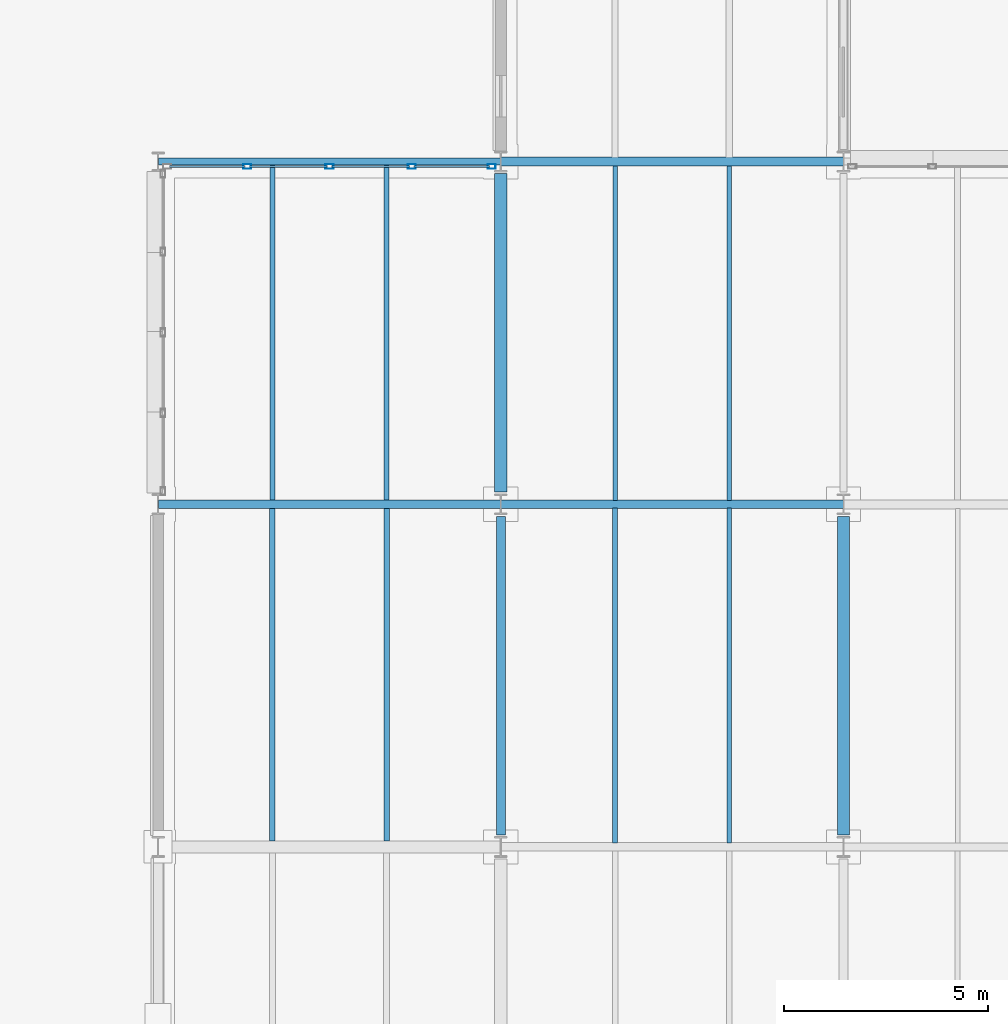
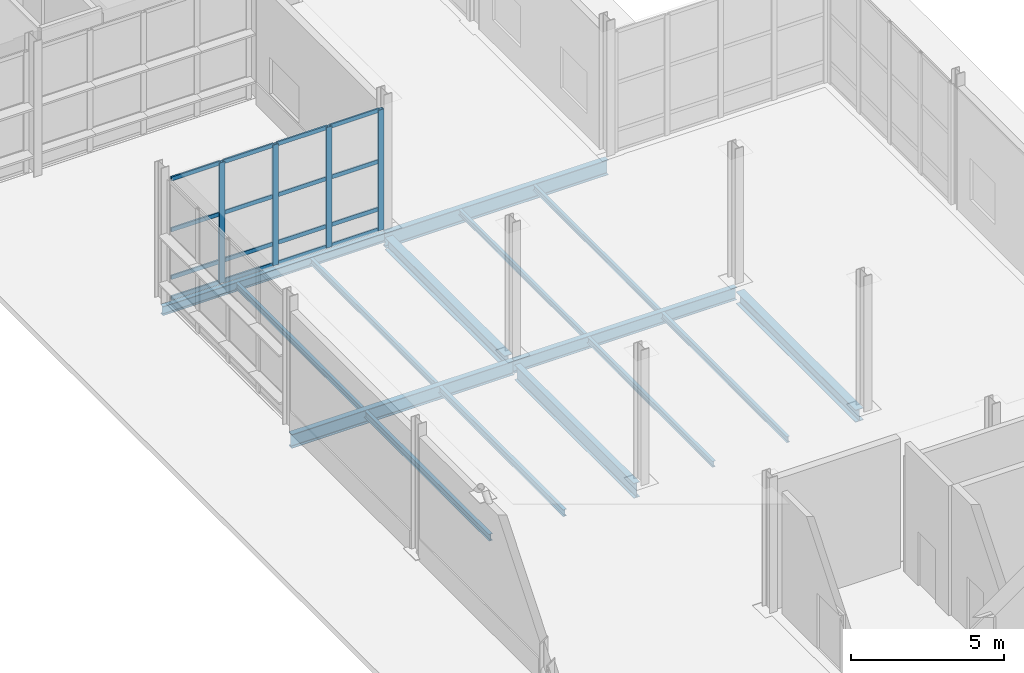
# One storey, part 61 of 124: 20 members, 15 beams, 1 element without a shape of its own.
"""IFC4 building model written with IfcOpenShell, lengths in metres."""

from ifc_helpers import new_model, si_unit, direction, frame, origin, origin_2d, place, context, subcontext, project, spatial, hollow_rectangle, i_section, extrude, material, material_profile, profile_set, type_object, element, aggregate, save


model = new_model("IFC4")

# Units and contexts
model_context = context("Model", 3, precision=1e-05, world=origin(), true_north=direction((0.0, 1.0)))
body_context = subcontext(model_context, "Body", "Model", "MODEL_VIEW")
ifc_project = project(units=[si_unit("LENGTHUNIT", "METRE"), si_unit("AREAUNIT", "SQUARE_METRE"), si_unit("VOLUMEUNIT", "CUBIC_METRE"), si_unit("PLANEANGLEUNIT", "RADIAN"), si_unit("MASSUNIT", "GRAM", prefix="KILO")], contexts=[model_context])

# Site, building, storey
site_placement = place(None, origin())
site = spatial("IfcSite", under=ifc_project, at=site_placement, CompositionType="ELEMENT")
building_placement = place(site_placement, origin())
building = spatial("IfcBuilding", under=site, at=building_placement, Name="Mersafa Astral City Hall", CompositionType="ELEMENT")
storey_placement = place(building_placement, origin())
storey = spatial("IfcBuildingStorey", under=building, at=storey_placement, Name="L00", CompositionType="ELEMENT", Elevation=0.0)

# Curtain wall, members
ifc_material_1 = material(Name="Anodised bronze aluminium framing", Category="aluminium")
curtain_wall_type = type_object("IfcCurtainWallType", Name="ENV-CW-3", PredefinedType="USERDEFINED", material=ifc_material_1)
curtain_wall_placement = place(storey_placement, origin())
curtain_wall = element("IfcCurtainWall", 1, at=curtain_wall_placement, inside=storey, type_object=curtain_wall_type, Name="L00 Unitised solar curtain wall 20", ObjectType="UNITISED CURTAIN WALL", PredefinedType="USERDEFINED")
ifc_material_profile_1 = material_profile(ifc_material_1, hollow_rectangle(XDim=0.1201171875, YDim=0.199951171875, WallThickness=0.008056640625, at=origin_2d()), Name="RHS 120x200x8")
ifc_profile_set_1 = profile_set([ifc_material_profile_1], Name="Anodised bronze aluminium framing")
member_type_1 = type_object("IfcMemberType", Name="ENV-CW-MUL-2", PredefinedType="MULLION", material=ifc_profile_set_1)
member_1_placement = place(storey_placement, frame((167.778076171875, 92.280029296875, -0.001953125), z_axis=(0.0, 0.0, 1.0), x_axis=(0.0, -1.0, 0.0)))
member_1 = element("IfcMember", 2, at=member_1_placement, type_object=member_type_1, Name="CW-3 mullion 1", PredefinedType="MULLION", context=body_context, shape_type="SweptSolid", body=[
    extrude(hollow_rectangle(XDim=0.1201171875, YDim=0.199951171875, WallThickness=0.008056640625, at=origin_2d()), origin(), (0.0, 0.0, 1.0), 4.81396484375),
])
member_2_placement = place(storey_placement, frame((165.819091796875, 92.280029296875, -0.001953125), z_axis=(0.0, 0.0, 1.0), x_axis=(0.0, -1.0, 0.0)))
member_2 = element("IfcMember", 3, at=member_2_placement, type_object=member_type_1, Name="CW-3 mullion 2", PredefinedType="MULLION", context=body_context, shape_type="SweptSolid", body=[
    extrude(hollow_rectangle(XDim=0.1201171875, YDim=0.199951171875, WallThickness=0.008056640625, at=origin_2d()), origin(), (0.0, 0.0, 1.0), 4.81396484375),
])
member_3_placement = place(storey_placement, frame((163.800048828125, 92.280029296875, -0.001953125), z_axis=(0.0, 0.0, 1.0), x_axis=(0.0, -1.0, 0.0)))
member_3 = element("IfcMember", 4, at=member_3_placement, type_object=member_type_1, Name="CW-3 mullion 3", PredefinedType="MULLION", context=body_context, shape_type="SweptSolid", body=[
    extrude(hollow_rectangle(XDim=0.1201171875, YDim=0.199951171875, WallThickness=0.008056640625, at=origin_2d()), origin(), (0.0, 0.0, 1.0), 4.81396484375),
])
member_4_placement = place(storey_placement, frame((161.781005859375, 92.280029296875, -0.001953125), z_axis=(0.0, 0.0, 1.0), x_axis=(0.0, -1.0, 0.0)))
member_4 = element("IfcMember", 5, at=member_4_placement, type_object=member_type_1, Name="CW-3 mullion 4", PredefinedType="MULLION", context=body_context, shape_type="SweptSolid", body=[
    extrude(hollow_rectangle(XDim=0.1201171875, YDim=0.199951171875, WallThickness=0.008056640625, at=origin_2d()), origin(), (0.0, 0.0, 1.0), 4.81396484375),
])
ifc_material_profile_2 = material_profile(ifc_material_1, hollow_rectangle(XDim=0.06005859375, YDim=0.159912109375, WallThickness=0.00390625, at=origin_2d()), Name="RHS 60x160x4")
ifc_profile_set_2 = profile_set([ifc_material_profile_2], Name="Anodised bronze aluminium framing")
member_type_2 = type_object("IfcMemberType", Name="ENV-CW-TRN-2", PredefinedType="USERDEFINED", material=ifc_profile_set_2)
member_5_placement = place(storey_placement, frame((167.718017578125, 92.280029296875, 0.028076171875), z_axis=(-1.0, 0.0, 0.0), x_axis=(0.0, -1.0, 0.0)))
member_5 = element("IfcMember", 6, at=member_5_placement, type_object=member_type_2, Name="CW-3 transom 1.1", ObjectType="TRANSOM", PredefinedType="USERDEFINED", context=body_context, shape_type="SweptSolid", body=[
    extrude(hollow_rectangle(XDim=0.06005859375, YDim=0.159912109375, WallThickness=0.00390625, at=origin_2d()), origin(), (0.0, 0.0, 1.0), 1.839111328125),
])
member_6_placement = place(storey_placement, frame((167.718017578125, 92.280029296875, 0.85009765625), z_axis=(-1.0, 0.0, 0.0), x_axis=(0.0, -1.0, 0.0)))
member_6 = element("IfcMember", 7, at=member_6_placement, type_object=member_type_2, Name="CW-3 transom 1.2", ObjectType="TRANSOM", PredefinedType="USERDEFINED", context=body_context, shape_type="SweptSolid", body=[
    extrude(hollow_rectangle(XDim=0.06005859375, YDim=0.159912109375, WallThickness=0.00390625, at=origin_2d()), origin(), (0.0, 0.0, 1.0), 1.839111328125),
])
member_7_placement = place(storey_placement, frame((167.718017578125, 92.280029296875, 2.75), z_axis=(-1.0, 0.0, 0.0), x_axis=(0.0, -1.0, 0.0)))
member_7 = element("IfcMember", 8, at=member_7_placement, type_object=member_type_2, Name="CW-3 transom 1.3", ObjectType="TRANSOM", PredefinedType="USERDEFINED", context=body_context, shape_type="SweptSolid", body=[
    extrude(hollow_rectangle(XDim=0.06005859375, YDim=0.159912109375, WallThickness=0.00390625, at=origin_2d()), origin(), (0.0, 0.0, 1.0), 1.839111328125),
])
member_8_placement = place(storey_placement, frame((167.718017578125, 92.280029296875, 4.781982421875), z_axis=(-1.0, 0.0, 0.0), x_axis=(0.0, -1.0, 0.0)))
member_8 = element("IfcMember", 9, at=member_8_placement, type_object=member_type_2, Name="CW-3 transom 1.4", ObjectType="TRANSOM", PredefinedType="USERDEFINED", context=body_context, shape_type="SweptSolid", body=[
    extrude(hollow_rectangle(XDim=0.06005859375, YDim=0.159912109375, WallThickness=0.00390625, at=origin_2d()), origin(), (0.0, 0.0, 1.0), 1.839111328125),
])
member_9_placement = place(storey_placement, frame((165.759033203125, 92.280029296875, 0.028076171875), z_axis=(-1.0, 0.0, 0.0), x_axis=(0.0, -1.0, 0.0)))
member_9 = element("IfcMember", 10, at=member_9_placement, type_object=member_type_2, Name="CW-3 transom 2.1", ObjectType="TRANSOM", PredefinedType="USERDEFINED", context=body_context, shape_type="SweptSolid", body=[
    extrude(hollow_rectangle(XDim=0.06005859375, YDim=0.159912109375, WallThickness=0.00390625, at=origin_2d()), origin(), (0.0, 0.0, 1.0), 1.89892578125),
])
member_10_placement = place(storey_placement, frame((165.759033203125, 92.280029296875, 0.85009765625), z_axis=(-1.0, 0.0, 0.0), x_axis=(0.0, -1.0, 0.0)))
member_10 = element("IfcMember", 11, at=member_10_placement, type_object=member_type_2, Name="CW-3 transom 2.2", ObjectType="TRANSOM", PredefinedType="USERDEFINED", context=body_context, shape_type="SweptSolid", body=[
    extrude(hollow_rectangle(XDim=0.06005859375, YDim=0.159912109375, WallThickness=0.00390625, at=origin_2d()), origin(), (0.0, 0.0, 1.0), 1.89892578125),
])
member_11_placement = place(storey_placement, frame((165.759033203125, 92.280029296875, 2.75), z_axis=(-1.0, 0.0, 0.0), x_axis=(0.0, -1.0, 0.0)))
member_11 = element("IfcMember", 12, at=member_11_placement, type_object=member_type_2, Name="CW-3 transom 2.3", ObjectType="TRANSOM", PredefinedType="USERDEFINED", context=body_context, shape_type="SweptSolid", body=[
    extrude(hollow_rectangle(XDim=0.06005859375, YDim=0.159912109375, WallThickness=0.00390625, at=origin_2d()), origin(), (0.0, 0.0, 1.0), 1.89892578125),
])
member_12_placement = place(storey_placement, frame((165.759033203125, 92.280029296875, 4.781982421875), z_axis=(-1.0, 0.0, 0.0), x_axis=(0.0, -1.0, 0.0)))
member_12 = element("IfcMember", 13, at=member_12_placement, type_object=member_type_2, Name="CW-3 transom 2.4", ObjectType="TRANSOM", PredefinedType="USERDEFINED", context=body_context, shape_type="SweptSolid", body=[
    extrude(hollow_rectangle(XDim=0.06005859375, YDim=0.159912109375, WallThickness=0.00390625, at=origin_2d()), origin(), (0.0, 0.0, 1.0), 1.89892578125),
])
member_13_placement = place(storey_placement, frame((163.739990234375, 92.280029296875, 0.028076171875), z_axis=(-1.0, 0.0, 0.0), x_axis=(0.0, -1.0, 0.0)))
member_13 = element("IfcMember", 14, at=member_13_placement, type_object=member_type_2, Name="CW-3 transom 3.1", ObjectType="TRANSOM", PredefinedType="USERDEFINED", context=body_context, shape_type="SweptSolid", body=[
    extrude(hollow_rectangle(XDim=0.06005859375, YDim=0.159912109375, WallThickness=0.00390625, at=origin_2d()), origin(), (0.0, 0.0, 1.0), 1.89892578125),
])
member_14_placement = place(storey_placement, frame((163.739990234375, 92.280029296875, 0.85009765625), z_axis=(-1.0, 0.0, 0.0), x_axis=(0.0, -1.0, 0.0)))
member_14 = element("IfcMember", 15, at=member_14_placement, type_object=member_type_2, Name="CW-3 transom 3.2", ObjectType="TRANSOM", PredefinedType="USERDEFINED", context=body_context, shape_type="SweptSolid", body=[
    extrude(hollow_rectangle(XDim=0.06005859375, YDim=0.159912109375, WallThickness=0.00390625, at=origin_2d()), origin(), (0.0, 0.0, 1.0), 1.89892578125),
])
member_15_placement = place(storey_placement, frame((163.739990234375, 92.280029296875, 2.75), z_axis=(-1.0, 0.0, 0.0), x_axis=(0.0, -1.0, 0.0)))
member_15 = element("IfcMember", 16, at=member_15_placement, type_object=member_type_2, Name="CW-3 transom 3.3", ObjectType="TRANSOM", PredefinedType="USERDEFINED", context=body_context, shape_type="SweptSolid", body=[
    extrude(hollow_rectangle(XDim=0.06005859375, YDim=0.159912109375, WallThickness=0.00390625, at=origin_2d()), origin(), (0.0, 0.0, 1.0), 1.89892578125),
])
member_16_placement = place(storey_placement, frame((163.739990234375, 92.280029296875, 4.781982421875), z_axis=(-1.0, 0.0, 0.0), x_axis=(0.0, -1.0, 0.0)))
member_16 = element("IfcMember", 17, at=member_16_placement, type_object=member_type_2, Name="CW-3 transom 3.4", ObjectType="TRANSOM", PredefinedType="USERDEFINED", context=body_context, shape_type="SweptSolid", body=[
    extrude(hollow_rectangle(XDim=0.06005859375, YDim=0.159912109375, WallThickness=0.00390625, at=origin_2d()), origin(), (0.0, 0.0, 1.0), 1.89892578125),
])
member_17_placement = place(storey_placement, frame((161.720947265625, 92.280029296875, 0.028076171875), z_axis=(-1.0, 0.0, 0.0), x_axis=(0.0, -1.0, 0.0)))
member_17 = element("IfcMember", 18, at=member_17_placement, type_object=member_type_2, Name="CW-3 transom 4.1", ObjectType="TRANSOM", PredefinedType="USERDEFINED", context=body_context, shape_type="SweptSolid", body=[
    extrude(hollow_rectangle(XDim=0.06005859375, YDim=0.159912109375, WallThickness=0.00390625, at=origin_2d()), origin(), (0.0, 0.0, 1.0), 1.8388671875),
])
member_18_placement = place(storey_placement, frame((161.720947265625, 92.280029296875, 0.85009765625), z_axis=(-1.0, 0.0, 0.0), x_axis=(0.0, -1.0, 0.0)))
member_18 = element("IfcMember", 19, at=member_18_placement, type_object=member_type_2, Name="CW-3 transom 4.2", ObjectType="TRANSOM", PredefinedType="USERDEFINED", context=body_context, shape_type="SweptSolid", body=[
    extrude(hollow_rectangle(XDim=0.06005859375, YDim=0.159912109375, WallThickness=0.00390625, at=origin_2d()), origin(), (0.0, 0.0, 1.0), 1.8388671875),
])
member_19_placement = place(storey_placement, frame((161.720947265625, 92.280029296875, 2.75), z_axis=(-1.0, 0.0, 0.0), x_axis=(0.0, -1.0, 0.0)))
member_19 = element("IfcMember", 20, at=member_19_placement, type_object=member_type_2, Name="CW-3 transom 4.3", ObjectType="TRANSOM", PredefinedType="USERDEFINED", context=body_context, shape_type="SweptSolid", body=[
    extrude(hollow_rectangle(XDim=0.06005859375, YDim=0.159912109375, WallThickness=0.00390625, at=origin_2d()), origin(), (0.0, 0.0, 1.0), 1.8388671875),
])
member_20_placement = place(storey_placement, frame((161.720947265625, 92.280029296875, 4.781982421875), z_axis=(-1.0, 0.0, 0.0), x_axis=(0.0, -1.0, 0.0)))
member_20 = element("IfcMember", 21, at=member_20_placement, type_object=member_type_2, Name="CW-3 transom 4.4", ObjectType="TRANSOM", PredefinedType="USERDEFINED", context=body_context, shape_type="SweptSolid", body=[
    extrude(hollow_rectangle(XDim=0.06005859375, YDim=0.159912109375, WallThickness=0.00390625, at=origin_2d()), origin(), (0.0, 0.0, 1.0), 1.8388671875),
])
aggregate(curtain_wall, [member_1, member_2, member_3, member_4, member_5, member_6, member_7, member_8, member_9, member_10, member_11, member_12, member_13, member_14, member_15, member_16, member_17, member_18, member_19, member_20])

# Beams
ifc_material_2 = material(Name="Steel S355", Category="steel")
ifc_material_profile_3 = material_profile(ifc_material_2, i_section(OverallWidth=0.300048828125, OverallDepth=0.489990234375, WebThickness=0.011962890625, FlangeThickness=0.02294921875, FilletRadius=0.027099609375, at=origin_2d()), Name="HEA 500")
ifc_profile_set_3 = profile_set([ifc_material_profile_3], Name="Steel S355")
beam_type_1 = type_object("IfcBeamType", Name="STR-BM-HEA500", PredefinedType="BEAM", material=ifc_profile_set_3)
for number, where, z_axis, x_axis, name in (
    (22, (168.0, 84.294921875, -0.4951171875), (0.0, 1.0, 0.0), (-1.0, 0.0, 0.0), "L00 Primary girder Y 20-10"),
    (23, (176.39990234375, 75.89501953125, -0.4951171875), (0.0, 1.0, 0.0), (-1.0, 0.0, 0.0), "L00 Primary girder Y 21-9"),
):
    element("IfcBeam", number, at=place(storey_placement, frame(where, z_axis=z_axis, x_axis=x_axis)), inside=storey, type_object=beam_type_1, Name=name, PredefinedType="BEAM", context=body_context, shape_type="SweptSolid", body=[
        extrude(i_section(OverallWidth=0.300048828125, OverallDepth=0.489990234375, WebThickness=0.011962890625, FlangeThickness=0.02294921875, FilletRadius=0.027099609375, at=origin_2d()), origin(), (0.0, 0.0, 1.0), 7.81005859375),
    ])
ifc_material_profile_4 = material_profile(ifc_material_2, i_section(OverallWidth=0.199951171875, OverallDepth=0.5, WebThickness=0.01025390625, FlangeThickness=0.01611328125, FilletRadius=0.02099609375, at=origin_2d()), Name="IPE 500")
ifc_profile_set_4 = profile_set([ifc_material_profile_4], Name="Steel S355")
beam_type_2 = type_object("IfcBeamType", Name="STR-BM-IPE500", PredefinedType="BEAM", material=ifc_profile_set_4)
beam_1_placement = place(storey_placement, frame((168.0029296875, 84.0, -0.5), z_axis=(1.0, 0.0, 0.0), x_axis=(0.0, 1.0, 0.0)))
element("IfcBeam", 24, at=beam_1_placement, inside=storey, type_object=beam_type_2, Name="L00 Primary girder X 20-10", PredefinedType="BEAM", context=body_context, shape_type="SweptSolid", body=[
    extrude(i_section(OverallWidth=0.199951171875, OverallDepth=0.5, WebThickness=0.01025390625, FlangeThickness=0.01611328125, FilletRadius=0.02099609375, at=origin_2d()), origin(), (0.0, 0.0, 1.0), 8.39404296875),
])
ifc_material_profile_5 = material_profile(ifc_material_2, i_section(OverallWidth=0.2099609375, OverallDepth=0.550048828125, WebThickness=0.010986328125, FlangeThickness=0.01708984375, FilletRadius=0.02392578125, at=origin_2d()), Name="IPE 550")
ifc_profile_set_5 = profile_set([ifc_material_profile_5], Name="Steel S355")
beam_type_3 = type_object("IfcBeamType", Name="STR-BM-IPE550", PredefinedType="BEAM", material=ifc_profile_set_5)
beam_2_placement = place(storey_placement, frame((159.60302734375, 84.0, -0.52490234375), z_axis=(1.0, 0.0, 0.0), x_axis=(0.0, 1.0, 0.0)))
element("IfcBeam", 25, at=beam_2_placement, inside=storey, type_object=beam_type_3, Name="L00 Primary girder X 19-10", PredefinedType="BEAM", context=body_context, shape_type="SweptSolid", body=[
    extrude(i_section(OverallWidth=0.2099609375, OverallDepth=0.550048828125, WebThickness=0.010986328125, FlangeThickness=0.01708984375, FilletRadius=0.02392578125, at=origin_2d()), origin(), (0.0, 0.0, 1.0), 8.39404296875),
])
ifc_material_profile_6 = material_profile(ifc_material_2, i_section(OverallWidth=0.219970703125, OverallDepth=0.60009765625, WebThickness=0.011962890625, FlangeThickness=0.01904296875, FilletRadius=0.02392578125, at=origin_2d()), Name="IPE 600")
ifc_profile_set_6 = profile_set([ifc_material_profile_6], Name="Steel S355")
beam_type_4 = type_object("IfcBeamType", Name="STR-BM-IPE600", PredefinedType="BEAM", material=ifc_profile_set_6)
beam_3_placement = place(storey_placement, frame((168.0029296875, 92.39990234375, -0.550048828125), z_axis=(1.0, 0.0, 0.0), x_axis=(0.0, 1.0, 0.0)))
element("IfcBeam", 26, at=beam_3_placement, inside=storey, type_object=beam_type_4, Name="L00 Primary girder X 20-11", PredefinedType="BEAM", context=body_context, shape_type="SweptSolid", body=[
    extrude(i_section(OverallWidth=0.219970703125, OverallDepth=0.60009765625, WebThickness=0.011962890625, FlangeThickness=0.01904296875, FilletRadius=0.02392578125, at=origin_2d()), origin(), (0.0, 0.0, 1.0), 8.39404296875),
])
beam_4_placement = place(storey_placement, frame((168.0, 75.89501953125, -0.550048828125), z_axis=(0.0, 1.0, 0.0), x_axis=(-1.0, 0.0, 0.0)))
element("IfcBeam", 27, at=beam_4_placement, inside=storey, type_object=beam_type_4, Name="L00 Primary girder Y 20-9", PredefinedType="BEAM", context=body_context, shape_type="SweptSolid", body=[
    extrude(i_section(OverallWidth=0.219970703125, OverallDepth=0.60009765625, WebThickness=0.011962890625, FlangeThickness=0.01904296875, FilletRadius=0.02392578125, at=origin_2d()), origin(), (0.0, 0.0, 1.0), 7.81005859375),
])
ifc_material_profile_7 = material_profile(ifc_material_2, i_section(OverallWidth=0.110107421875, OverallDepth=0.219970703125, WebThickness=0.005859375, FlangeThickness=0.00927734375, FilletRadius=0.011962890625, at=origin_2d()), Name="IPE 220")
ifc_profile_set_7 = profile_set([ifc_material_profile_7], Name="Steel S355")
beam_type_5 = type_object("IfcBeamType", Name="STR-BM-JOIST-IPE220", PredefinedType="JOIST", material=ifc_profile_set_7)
for number, where, z_axis, x_axis, name in (
    (28, (170.800048828125, 84.094970703125, -0.360107421875), (0.0, 1.0, 0.0), (-1.0, 0.0, 0.0), "L00 Composite secondary floor joist 205"),
    (29, (173.60009765625, 84.094970703125, -0.360107421875), (0.0, 1.0, 0.0), (-1.0, 0.0, 0.0), "L00 Composite secondary floor joist 206"),
):
    element("IfcBeam", number, at=place(storey_placement, frame(where, z_axis=z_axis, x_axis=x_axis)), inside=storey, type_object=beam_type_5, Name=name, PredefinedType="JOIST", context=body_context, shape_type="SweptSolid", body=[
        extrude(i_section(OverallWidth=0.110107421875, OverallDepth=0.219970703125, WebThickness=0.005859375, FlangeThickness=0.00927734375, FilletRadius=0.011962890625, at=origin_2d()), origin(), (0.0, 0.0, 1.0), 8.199951171875),
    ])
ifc_material_profile_8 = material_profile(ifc_material_2, i_section(OverallWidth=0.1201171875, OverallDepth=0.239990234375, WebThickness=0.006103515625, FlangeThickness=0.009765625, FilletRadius=0.014892578125, at=origin_2d()), Name="IPE 240")
ifc_profile_set_8 = profile_set([ifc_material_profile_8], Name="Steel S355")
beam_type_6 = type_object("IfcBeamType", Name="STR-BM-JOIST-IPE240", PredefinedType="JOIST", material=ifc_profile_set_8)
for number, where, z_axis, x_axis, name in (
    (30, (162.39990234375, 84.10009765625, -0.3701171875), (0.0, 1.0, 0.0), (-1.0, 0.0, 0.0), "L00 Composite secondary floor joist 190"),
    (31, (165.199951171875, 84.10009765625, -0.3701171875), (0.0, 1.0, 0.0), (-1.0, 0.0, 0.0), "L00 Composite secondary floor joist 191"),
):
    element("IfcBeam", number, at=place(storey_placement, frame(where, z_axis=z_axis, x_axis=x_axis)), inside=storey, type_object=beam_type_6, Name=name, PredefinedType="JOIST", context=body_context, shape_type="SweptSolid", body=[
        extrude(i_section(OverallWidth=0.1201171875, OverallDepth=0.239990234375, WebThickness=0.006103515625, FlangeThickness=0.009765625, FilletRadius=0.014892578125, at=origin_2d()), origin(), (0.0, 0.0, 1.0), 8.219970703125),
    ])
for number, where, z_axis, x_axis, name in (
    (32, (170.800048828125, 75.699951171875, -0.3701171875), (0.0, 1.0, 0.0), (-1.0, 0.0, 0.0), "L00 Composite secondary floor joist 203"),
    (33, (173.60009765625, 75.699951171875, -0.3701171875), (0.0, 1.0, 0.0), (-1.0, 0.0, 0.0), "L00 Composite secondary floor joist 204"),
):
    element("IfcBeam", number, at=place(storey_placement, frame(where, z_axis=z_axis, x_axis=x_axis)), inside=storey, type_object=beam_type_6, Name=name, PredefinedType="JOIST", context=body_context, shape_type="SweptSolid", body=[
        extrude(i_section(OverallWidth=0.1201171875, OverallDepth=0.239990234375, WebThickness=0.006103515625, FlangeThickness=0.009765625, FilletRadius=0.014892578125, at=origin_2d()), origin(), (0.0, 0.0, 1.0), 8.205078125),
    ])
ifc_material_profile_9 = material_profile(ifc_material_2, i_section(OverallWidth=0.135009765625, OverallDepth=0.27001953125, WebThickness=0.006591796875, FlangeThickness=0.01025390625, FilletRadius=0.014892578125, at=origin_2d()), Name="IPE 270")
ifc_profile_set_9 = profile_set([ifc_material_profile_9], Name="Steel S355")
beam_type_7 = type_object("IfcBeamType", Name="STR-BM-JOIST-IPE270", PredefinedType="JOIST", material=ifc_profile_set_9)
for number, where, z_axis, x_axis, name in (
    (34, (162.39990234375, 75.7451171875, -0.385009765625), (0.0, 1.0, 0.0), (-1.0, 0.0, 0.0), "L00 Composite secondary floor joist 188"),
    (35, (165.199951171875, 75.7451171875, -0.385009765625), (0.0, 1.0, 0.0), (-1.0, 0.0, 0.0), "L00 Composite secondary floor joist 189"),
):
    element("IfcBeam", number, at=place(storey_placement, frame(where, z_axis=z_axis, x_axis=x_axis)), inside=storey, type_object=beam_type_7, Name=name, PredefinedType="JOIST", context=body_context, shape_type="SweptSolid", body=[
        extrude(i_section(OverallWidth=0.135009765625, OverallDepth=0.27001953125, WebThickness=0.006591796875, FlangeThickness=0.01025390625, FilletRadius=0.014892578125, at=origin_2d()), origin(), (0.0, 0.0, 1.0), 8.15478515625),
    ])
ifc_material_profile_10 = material_profile(ifc_material_2, i_section(OverallWidth=0.169921875, OverallDepth=0.360107421875, WebThickness=0.008056640625, FlangeThickness=0.0126953125, FilletRadius=0.01806640625, at=origin_2d()), Name="IPE 360")
ifc_profile_set_10 = profile_set([ifc_material_profile_10], Name="Steel S355")
beam_type_8 = type_object("IfcBeamType", Name="STR-BM-SPANDREL-IPE360", PredefinedType="SPANDREL", material=ifc_profile_set_10)
beam_5_placement = place(storey_placement, frame((159.60302734375, 92.39990234375, -0.429931640625), z_axis=(1.0, 0.0, 0.0), x_axis=(0.0, 1.0, 0.0)))
element("IfcBeam", 36, at=beam_5_placement, inside=storey, type_object=beam_type_8, Name="L00 Primary girder X 19-11", PredefinedType="SPANDREL", context=body_context, shape_type="SweptSolid", body=[
    extrude(i_section(OverallWidth=0.169921875, OverallDepth=0.360107421875, WebThickness=0.008056640625, FlangeThickness=0.0126953125, FilletRadius=0.01806640625, at=origin_2d()), origin(), (0.0, 0.0, 1.0), 8.39404296875),
])

save(model, "model.ifc")
